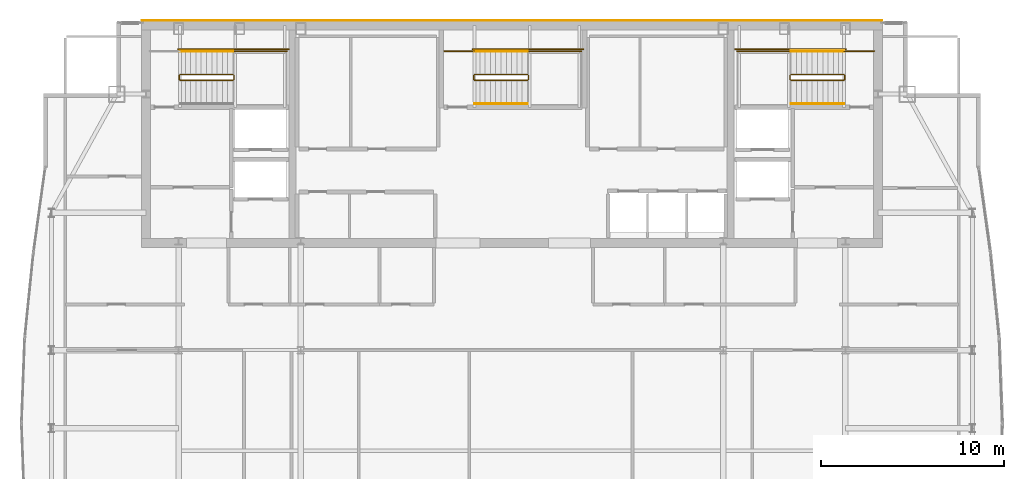
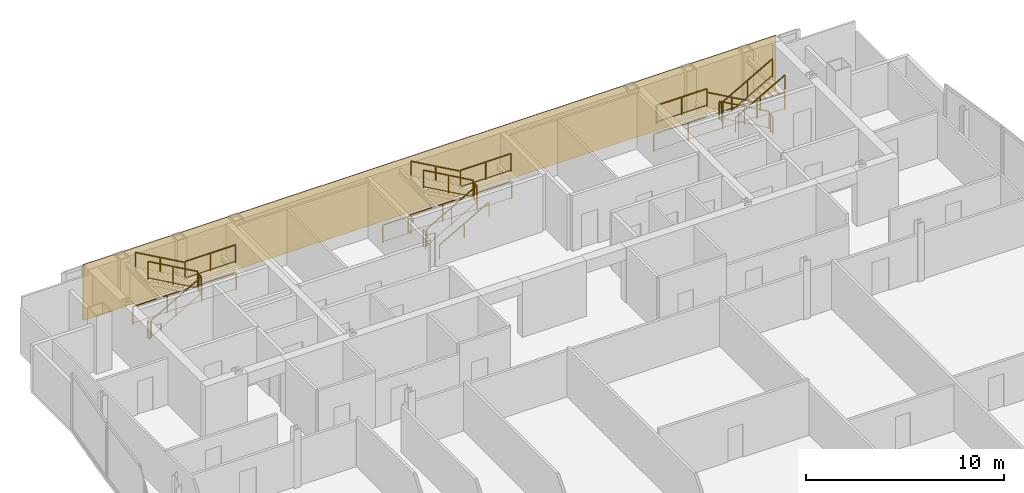
# One storey, part 26 of 26: 25 railings, 1 covering.
"""IFC4 building model written with IfcOpenShell, lengths in metres."""

from ifc_helpers import new_model, si_unit, direction, frame, origin, origin_2d, place, context, subcontext, project, spatial, polyline, rectangle, outline, extrude, material, layer, layer_set, type_object, element, save


model = new_model("IFC4")

# Units and contexts
model_context = context("Model", 3, precision=1e-05, world=origin(), true_north=direction((0.0, 1.0)))
body_context = subcontext(model_context, "Body", "Model", "MODEL_VIEW")
ifc_project = project(units=[si_unit("LENGTHUNIT", "METRE"), si_unit("AREAUNIT", "SQUARE_METRE"), si_unit("VOLUMEUNIT", "CUBIC_METRE"), si_unit("PLANEANGLEUNIT", "RADIAN"), si_unit("MASSUNIT", "GRAM", prefix="KILO")], contexts=[model_context])

# Site, building, storey
site_placement = place(None, origin())
site = spatial("IfcSite", under=ifc_project, at=site_placement, CompositionType="ELEMENT")
building_placement = place(site_placement, origin())
building = spatial("IfcBuilding", under=site, at=building_placement, Name="Khoronbel Lancet Exchange", CompositionType="ELEMENT")
storey_placement = place(building_placement, frame((0.0, 0.0, 339.800048828125)))
storey = spatial("IfcBuildingStorey", under=building, at=storey_placement, Name="L88", CompositionType="ELEMENT", Elevation=339.800048828125)

# Covering
ifc_material_1 = material(Name="Honed Egyptian Limestone & Bronze Rainscreen", Category="masonry")
ifc_layer = layer(ifc_material_1, 0.050048828125, Name="Honed Egyptian Limestone & Bronze Rainscreen")
ifc_layer_set = layer_set([ifc_layer], Name="Honed Egyptian Limestone & Bronze Rainscreen")
covering_type = type_object("IfcCoveringType", Name="COV-CLAD1", PredefinedType="CLADDING", material=ifc_layer_set)
covering_placement = place(storey_placement, origin())
element("IfcCovering", 1, at=covering_placement, inside=storey, type_object=covering_type, Name="Level L88 north rear-core stone and bronze rainscreen cladding", PredefinedType="CLADDING", context=body_context, shape_type="SweptSolid", body=[
    extrude(outline(polyline([(16.199951171875, 53.699951171875), (56.699951171875, 53.699951171875), (56.699951171875, 53.75), (16.199951171875, 53.75), (16.199951171875, 53.699951171875)])), origin(), (0.0, 0.0, 1.0), 3.43994140625),
])

# Railings
ifc_material_2 = material(Name="Painted Steel Balustrade", Category="steel")
railing_type_1 = type_object("IfcRailingType", Name="RL-STG110", PredefinedType="GUARDRAIL", material=ifc_material_2)
railing_1_placement = place(storey_placement, frame((18.300048828125, 50.449951171875, 0.16357421875)))
element("IfcRailing", 2, at=railing_1_placement, inside=storey, type_object=railing_type_1, Name="L88 ST1 stair guard 1", PredefinedType="GUARDRAIL", context=body_context, shape_type="SweptSolid", body=[
    extrude(rectangle(XDim=0.048095703125, YDim=0.048095703125, at=origin_2d()), frame((0.0, 0.0, 1.09619140625), z_axis=(0.870897200241, 0.0, 0.491465224214), x_axis=(0.0, 1.0, 0.0)), (0.0, 0.0, 1.0), 3.329833984375),
    extrude(rectangle(XDim=0.02392578125, YDim=0.02392578125, at=origin_2d()), frame((0.0, 0.0, 0.080078125), z_axis=(0.870897200241, 0.0, 0.491465224214), x_axis=(0.0, 1.0, 0.0)), (0.0, 0.0, 1.0), 3.329833984375),
    extrude(rectangle(XDim=0.0419921875, YDim=0.0419921875, at=origin_2d()), origin(), (0.0, 0.0, 1.0), 1.072021484375),
    extrude(rectangle(XDim=0.0419921875, YDim=0.0419921875, at=origin_2d()), frame((1.449951171875, 0.0, 0.818359375)), (0.0, 0.0, 1.0), 1.072021484375),
    extrude(rectangle(XDim=0.0419921875, YDim=0.0419921875, at=origin_2d()), frame((2.89990234375, 0.0, 1.636474609375)), (0.0, 0.0, 1.0), 1.072021484375),
])
railing_2_placement = place(storey_placement, frame((21.25, 50.5, 1.800048828125)))
element("IfcRailing", 3, at=railing_2_placement, inside=storey, type_object=railing_type_1, Name="L88 ST1 stair guard 2", PredefinedType="GUARDRAIL", context=body_context, shape_type="SweptSolid", body=[
    extrude(rectangle(XDim=0.048095703125, YDim=0.048095703125, at=origin_2d()), frame((0.0, 0.0, 1.09619140625), z_axis=(0.0, 1.0, 0.0), x_axis=(-1.0, 0.0, 0.0)), (0.0, 0.0, 1.0), 0.219970703125),
    extrude(rectangle(XDim=0.02392578125, YDim=0.02392578125, at=origin_2d()), frame((0.0, 0.0, 0.080078125), z_axis=(0.0, 1.0, 0.0), x_axis=(-1.0, 0.0, 0.0)), (0.0, 0.0, 1.0), 0.219970703125),
    extrude(rectangle(XDim=0.0419921875, YDim=0.0419921875, at=origin_2d()), origin(), (0.0, 0.0, 1.0), 1.072021484375),
    extrude(rectangle(XDim=0.0419921875, YDim=0.0419921875, at=origin_2d()), frame((0.0, 0.219970703125, 0.0)), (0.0, 0.0, 1.0), 1.072021484375),
])
railing_3_placement = place(storey_placement, frame((21.199951171875, 52.050048828125, 1.800048828125)))
element("IfcRailing", 4, at=railing_3_placement, inside=storey, type_object=railing_type_1, Name="L88 ST1 stair guard 3", PredefinedType="GUARDRAIL", context=body_context, shape_type="SweptSolid", body=[
    extrude(rectangle(XDim=0.048095703125, YDim=0.048095703125, at=origin_2d()), frame((0.0, 0.0, 1.09619140625), z_axis=(1.0, 0.0, 0.0), x_axis=(0.0, 1.0, 0.0)), (0.0, 0.0, 1.0), 2.949951171875),
    extrude(rectangle(XDim=0.02392578125, YDim=0.02392578125, at=origin_2d()), frame((0.0, 0.0, 0.080078125), z_axis=(1.0, 0.0, 0.0), x_axis=(0.0, 1.0, 0.0)), (0.0, 0.0, 1.0), 2.949951171875),
    extrude(rectangle(XDim=0.0419921875, YDim=0.0419921875, at=origin_2d()), origin(), (0.0, 0.0, 1.0), 1.072021484375),
    extrude(rectangle(XDim=0.0419921875, YDim=0.0419921875, at=origin_2d()), frame((1.47509765625, 0.0, 0.0)), (0.0, 0.0, 1.0), 1.072021484375),
    extrude(rectangle(XDim=0.0419921875, YDim=0.0419921875, at=origin_2d()), frame((2.949951171875, 0.0, 0.0)), (0.0, 0.0, 1.0), 1.072021484375),
])
railing_4_placement = place(storey_placement, frame((21.199951171875, 50.77001953125, 1.963623046875)))
element("IfcRailing", 5, at=railing_4_placement, inside=storey, type_object=railing_type_1, Name="L88 ST1 stair guard 4", PredefinedType="GUARDRAIL", context=body_context, shape_type="SweptSolid", body=[
    extrude(rectangle(XDim=0.048095703125, YDim=0.048095703125, at=origin_2d()), frame((0.0, 0.0, 1.09619140625), z_axis=(-0.870928581787, 0.0, 0.491409610636), x_axis=(0.0, -1.0, 0.0)), (0.0, 0.0, 1.0), 3.32958984375),
    extrude(rectangle(XDim=0.02392578125, YDim=0.02392578125, at=origin_2d()), frame((0.0, 0.0, 0.080078125), z_axis=(-0.870928581787, 0.0, 0.491409610636), x_axis=(0.0, -1.0, 0.0)), (0.0, 0.0, 1.0), 3.32958984375),
    extrude(rectangle(XDim=0.0419921875, YDim=0.0419921875, at=origin_2d()), origin(), (0.0, 0.0, 1.0), 1.072021484375),
    extrude(rectangle(XDim=0.0419921875, YDim=0.0419921875, at=origin_2d()), frame((-1.449951171875, 0.0, 0.818115234375)), (0.0, 0.0, 1.0), 1.072021484375),
    extrude(rectangle(XDim=0.0419921875, YDim=0.0419921875, at=origin_2d()), frame((-2.89990234375, 0.0, 1.63623046875)), (0.0, 0.0, 1.0), 1.072021484375),
])
railing_5_placement = place(storey_placement, frame((18.25, 50.5, 0.0)))
element("IfcRailing", 6, at=railing_5_placement, inside=storey, type_object=railing_type_1, Name="L88 ST1 stair guard 5", PredefinedType="GUARDRAIL", context=body_context, shape_type="SweptSolid", body=[
    extrude(rectangle(XDim=0.048095703125, YDim=0.048095703125, at=origin_2d()), frame((0.0, 0.0, 1.09619140625), z_axis=(0.0, 1.0, 0.0), x_axis=(-1.0, 0.0, 0.0)), (0.0, 0.0, 1.0), 0.219970703125),
    extrude(rectangle(XDim=0.02392578125, YDim=0.02392578125, at=origin_2d()), frame((0.0, 0.0, 0.080078125), z_axis=(0.0, 1.0, 0.0), x_axis=(-1.0, 0.0, 0.0)), (0.0, 0.0, 1.0), 0.219970703125),
    extrude(rectangle(XDim=0.0419921875, YDim=0.0419921875, at=origin_2d()), origin(), (0.0, 0.0, 1.0), 1.072021484375),
    extrude(rectangle(XDim=0.0419921875, YDim=0.0419921875, at=origin_2d()), frame((0.0, 0.219970703125, 0.0)), (0.0, 0.0, 1.0), 1.072021484375),
])
railing_6_placement = place(storey_placement, frame((18.199951171875, 52.14990234375, 0.0)))
element("IfcRailing", 7, at=railing_6_placement, inside=storey, type_object=railing_type_1, Name="L88 ST1 stair guard 7", PredefinedType="GUARDRAIL", context=body_context, shape_type="SweptSolid", body=[
    extrude(rectangle(XDim=0.048095703125, YDim=0.048095703125, at=origin_2d()), frame((0.0, 0.0, 1.09619140625), z_axis=(1.0, 0.0, 0.0), x_axis=(0.0, 1.0, 0.0)), (0.0, 0.0, 1.0), 6.050048828125),
    extrude(rectangle(XDim=0.02392578125, YDim=0.02392578125, at=origin_2d()), frame((0.0, 0.0, 0.080078125), z_axis=(1.0, 0.0, 0.0), x_axis=(0.0, 1.0, 0.0)), (0.0, 0.0, 1.0), 6.050048828125),
    extrude(rectangle(XDim=0.0419921875, YDim=0.0419921875, at=origin_2d()), origin(), (0.0, 0.0, 1.0), 1.072021484375),
    extrude(rectangle(XDim=0.0419921875, YDim=0.0419921875, at=origin_2d()), frame((2.0166015625, 0.0, 0.0)), (0.0, 0.0, 1.0), 1.072021484375),
    extrude(rectangle(XDim=0.0419921875, YDim=0.0419921875, at=origin_2d()), frame((4.033447265625, 0.0, 0.0)), (0.0, 0.0, 1.0), 1.072021484375),
    extrude(rectangle(XDim=0.0419921875, YDim=0.0419921875, at=origin_2d()), frame((6.050048828125, 0.0, 0.0)), (0.0, 0.0, 1.0), 1.072021484375),
])
railing_7_placement = place(storey_placement, frame((54.60009765625, 50.77001953125, 0.16357421875)))
element("IfcRailing", 8, at=railing_7_placement, inside=storey, type_object=railing_type_1, Name="L88 ST2 stair guard 1", PredefinedType="GUARDRAIL", context=body_context, shape_type="SweptSolid", body=[
    extrude(rectangle(XDim=0.048095703125, YDim=0.048095703125, at=origin_2d()), frame((0.0, 0.0, 1.09619140625), z_axis=(-0.870914908162, 0.0, 0.491433843708), x_axis=(0.0, -1.0, 0.0)), (0.0, 0.0, 1.0), 3.330078125),
    extrude(rectangle(XDim=0.02392578125, YDim=0.02392578125, at=origin_2d()), frame((0.0, 0.0, 0.080078125), z_axis=(-0.870914908162, 0.0, 0.491433843708), x_axis=(0.0, -1.0, 0.0)), (0.0, 0.0, 1.0), 3.330078125),
    extrude(rectangle(XDim=0.0419921875, YDim=0.0419921875, at=origin_2d()), origin(), (0.0, 0.0, 1.0), 1.072021484375),
    extrude(rectangle(XDim=0.0419921875, YDim=0.0419921875, at=origin_2d()), frame((-1.4501953125, 0.0, 0.818359375)), (0.0, 0.0, 1.0), 1.072021484375),
    extrude(rectangle(XDim=0.0419921875, YDim=0.0419921875, at=origin_2d()), frame((-2.900146484375, 0.0, 1.636474609375)), (0.0, 0.0, 1.0), 1.072021484375),
])
railing_8_placement = place(storey_placement, frame((51.64990234375, 50.719970703125, 1.800048828125)))
element("IfcRailing", 9, at=railing_8_placement, inside=storey, type_object=railing_type_1, Name="L88 ST2 stair guard 2", PredefinedType="GUARDRAIL", context=body_context, shape_type="SweptSolid", body=[
    extrude(rectangle(XDim=0.048095703125, YDim=0.048095703125, at=origin_2d()), frame((0.0, 0.0, 1.09619140625), z_axis=(0.0, -1.0, 0.0), x_axis=(1.0, 0.0, 0.0)), (0.0, 0.0, 1.0), 0.219970703125),
    extrude(rectangle(XDim=0.02392578125, YDim=0.02392578125, at=origin_2d()), frame((0.0, 0.0, 0.080078125), z_axis=(0.0, -1.0, 0.0), x_axis=(1.0, 0.0, 0.0)), (0.0, 0.0, 1.0), 0.219970703125),
    extrude(rectangle(XDim=0.0419921875, YDim=0.0419921875, at=origin_2d()), origin(), (0.0, 0.0, 1.0), 1.072021484375),
    extrude(rectangle(XDim=0.0419921875, YDim=0.0419921875, at=origin_2d()), frame((0.0, -0.219970703125, 0.0)), (0.0, 0.0, 1.0), 1.072021484375),
])
railing_9_placement = place(storey_placement, frame((51.699951171875, 52.050048828125, 1.800048828125)))
element("IfcRailing", 10, at=railing_9_placement, inside=storey, type_object=railing_type_1, Name="L88 ST2 stair guard 3", PredefinedType="GUARDRAIL", context=body_context, shape_type="SweptSolid", body=[
    extrude(rectangle(XDim=0.048095703125, YDim=0.048095703125, at=origin_2d()), frame((0.0, 0.0, 1.09619140625), z_axis=(-1.0, 0.0, 0.0), x_axis=(0.0, -1.0, 0.0)), (0.0, 0.0, 1.0), 2.949951171875),
    extrude(rectangle(XDim=0.02392578125, YDim=0.02392578125, at=origin_2d()), frame((0.0, 0.0, 0.080078125), z_axis=(-1.0, 0.0, 0.0), x_axis=(0.0, -1.0, 0.0)), (0.0, 0.0, 1.0), 2.949951171875),
    extrude(rectangle(XDim=0.0419921875, YDim=0.0419921875, at=origin_2d()), origin(), (0.0, 0.0, 1.0), 1.072021484375),
    extrude(rectangle(XDim=0.0419921875, YDim=0.0419921875, at=origin_2d()), frame((-1.47509765625, 0.0, 0.0)), (0.0, 0.0, 1.0), 1.072021484375),
    extrude(rectangle(XDim=0.0419921875, YDim=0.0419921875, at=origin_2d()), frame((-2.949951171875, 0.0, 0.0)), (0.0, 0.0, 1.0), 1.072021484375),
])
railing_10_placement = place(storey_placement, frame((51.699951171875, 50.449951171875, 1.963623046875)))
element("IfcRailing", 11, at=railing_10_placement, inside=storey, type_object=railing_type_1, Name="L88 ST2 stair guard 4", PredefinedType="GUARDRAIL", context=body_context, shape_type="SweptSolid", body=[
    extrude(rectangle(XDim=0.048095703125, YDim=0.048095703125, at=origin_2d()), frame((0.0, 0.0, 1.09619140625), z_axis=(0.870946286338, 0.0, 0.49137823142), x_axis=(0.0, 1.0, 0.0)), (0.0, 0.0, 1.0), 3.329833984375),
    extrude(rectangle(XDim=0.02392578125, YDim=0.02392578125, at=origin_2d()), frame((0.0, 0.0, 0.080078125), z_axis=(0.870946286338, 0.0, 0.49137823142), x_axis=(0.0, 1.0, 0.0)), (0.0, 0.0, 1.0), 3.329833984375),
    extrude(rectangle(XDim=0.0419921875, YDim=0.0419921875, at=origin_2d()), origin(), (0.0, 0.0, 1.0), 1.072021484375),
    extrude(rectangle(XDim=0.0419921875, YDim=0.0419921875, at=origin_2d()), frame((1.4501953125, 0.0, 0.818115234375)), (0.0, 0.0, 1.0), 1.072021484375),
    extrude(rectangle(XDim=0.0419921875, YDim=0.0419921875, at=origin_2d()), frame((2.900146484375, 0.0, 1.63623046875)), (0.0, 0.0, 1.0), 1.072021484375),
])
railing_11_placement = place(storey_placement, frame((54.64990234375, 50.719970703125, 0.0)))
element("IfcRailing", 12, at=railing_11_placement, inside=storey, type_object=railing_type_1, Name="L88 ST2 stair guard 5", PredefinedType="GUARDRAIL", context=body_context, shape_type="SweptSolid", body=[
    extrude(rectangle(XDim=0.048095703125, YDim=0.048095703125, at=origin_2d()), frame((0.0, 0.0, 1.09619140625), z_axis=(0.0, -1.0, 0.0), x_axis=(1.0, 0.0, 0.0)), (0.0, 0.0, 1.0), 0.219970703125),
    extrude(rectangle(XDim=0.02392578125, YDim=0.02392578125, at=origin_2d()), frame((0.0, 0.0, 0.080078125), z_axis=(0.0, -1.0, 0.0), x_axis=(1.0, 0.0, 0.0)), (0.0, 0.0, 1.0), 0.219970703125),
    extrude(rectangle(XDim=0.0419921875, YDim=0.0419921875, at=origin_2d()), origin(), (0.0, 0.0, 1.0), 1.072021484375),
    extrude(rectangle(XDim=0.0419921875, YDim=0.0419921875, at=origin_2d()), frame((0.0, -0.219970703125, 0.0)), (0.0, 0.0, 1.0), 1.072021484375),
])
railing_12_placement = place(storey_placement, frame((56.25, 52.050048828125, 0.0)))
element("IfcRailing", 13, at=railing_12_placement, inside=storey, type_object=railing_type_1, Name="L88 ST2 stair guard 6", PredefinedType="GUARDRAIL", context=body_context, shape_type="SweptSolid", body=[
    extrude(rectangle(XDim=0.048095703125, YDim=0.048095703125, at=origin_2d()), frame((0.0, 0.0, 1.09619140625), z_axis=(-1.0, 0.0, 0.0), x_axis=(0.0, -1.0, 0.0)), (0.0, 0.0, 1.0), 1.64990234375),
    extrude(rectangle(XDim=0.02392578125, YDim=0.02392578125, at=origin_2d()), frame((0.0, 0.0, 0.080078125), z_axis=(-1.0, 0.0, 0.0), x_axis=(0.0, -1.0, 0.0)), (0.0, 0.0, 1.0), 1.64990234375),
    extrude(rectangle(XDim=0.0419921875, YDim=0.0419921875, at=origin_2d()), origin(), (0.0, 0.0, 1.0), 1.072021484375),
    extrude(rectangle(XDim=0.0419921875, YDim=0.0419921875, at=origin_2d()), frame((-1.64990234375, 0.0, 0.0)), (0.0, 0.0, 1.0), 1.072021484375),
])
railing_13_placement = place(storey_placement, frame((54.699951171875, 52.14990234375, 0.0)))
element("IfcRailing", 14, at=railing_13_placement, inside=storey, type_object=railing_type_1, Name="L88 ST2 stair guard 7", PredefinedType="GUARDRAIL", context=body_context, shape_type="SweptSolid", body=[
    extrude(rectangle(XDim=0.048095703125, YDim=0.048095703125, at=origin_2d()), frame((0.0, 0.0, 1.09619140625), z_axis=(-1.0, 0.0, 0.0), x_axis=(0.0, -1.0, 0.0)), (0.0, 0.0, 1.0), 6.050048828125),
    extrude(rectangle(XDim=0.02392578125, YDim=0.02392578125, at=origin_2d()), frame((0.0, 0.0, 0.080078125), z_axis=(-1.0, 0.0, 0.0), x_axis=(0.0, -1.0, 0.0)), (0.0, 0.0, 1.0), 6.050048828125),
    extrude(rectangle(XDim=0.0419921875, YDim=0.0419921875, at=origin_2d()), origin(), (0.0, 0.0, 1.0), 1.072021484375),
    extrude(rectangle(XDim=0.0419921875, YDim=0.0419921875, at=origin_2d()), frame((-2.0166015625, 0.0, 0.0)), (0.0, 0.0, 1.0), 1.072021484375),
    extrude(rectangle(XDim=0.0419921875, YDim=0.0419921875, at=origin_2d()), frame((-4.033447265625, 0.0, 0.0)), (0.0, 0.0, 1.0), 1.072021484375),
    extrude(rectangle(XDim=0.0419921875, YDim=0.0419921875, at=origin_2d()), frame((-6.050048828125, 0.0, 0.0)), (0.0, 0.0, 1.0), 1.072021484375),
])
railing_14_placement = place(storey_placement, frame((34.39990234375, 50.449951171875, 0.16357421875)))
element("IfcRailing", 15, at=railing_14_placement, inside=storey, type_object=railing_type_1, Name="L88 ST3 stair guard 1", PredefinedType="GUARDRAIL", context=body_context, shape_type="SweptSolid", body=[
    extrude(rectangle(XDim=0.048095703125, YDim=0.048095703125, at=origin_2d()), frame((0.0, 0.0, 1.09619140625), z_axis=(0.870914908162, 0.0, 0.491433843708), x_axis=(0.0, 1.0, 0.0)), (0.0, 0.0, 1.0), 3.330078125),
    extrude(rectangle(XDim=0.02392578125, YDim=0.02392578125, at=origin_2d()), frame((0.0, 0.0, 0.080078125), z_axis=(0.870914908162, 0.0, 0.491433843708), x_axis=(0.0, 1.0, 0.0)), (0.0, 0.0, 1.0), 3.330078125),
    extrude(rectangle(XDim=0.0419921875, YDim=0.0419921875, at=origin_2d()), origin(), (0.0, 0.0, 1.0), 1.072021484375),
    extrude(rectangle(XDim=0.0419921875, YDim=0.0419921875, at=origin_2d()), frame((1.4501953125, 0.0, 0.818359375)), (0.0, 0.0, 1.0), 1.072021484375),
    extrude(rectangle(XDim=0.0419921875, YDim=0.0419921875, at=origin_2d()), frame((2.900146484375, 0.0, 1.636474609375)), (0.0, 0.0, 1.0), 1.072021484375),
])
railing_15_placement = place(storey_placement, frame((37.35009765625, 50.5, 1.800048828125)))
element("IfcRailing", 16, at=railing_15_placement, inside=storey, type_object=railing_type_1, Name="L88 ST3 stair guard 2", PredefinedType="GUARDRAIL", context=body_context, shape_type="SweptSolid", body=[
    extrude(rectangle(XDim=0.048095703125, YDim=0.048095703125, at=origin_2d()), frame((0.0, 0.0, 1.09619140625), z_axis=(0.0, 1.0, 0.0), x_axis=(-1.0, 0.0, 0.0)), (0.0, 0.0, 1.0), 0.219970703125),
    extrude(rectangle(XDim=0.02392578125, YDim=0.02392578125, at=origin_2d()), frame((0.0, 0.0, 0.080078125), z_axis=(0.0, 1.0, 0.0), x_axis=(-1.0, 0.0, 0.0)), (0.0, 0.0, 1.0), 0.219970703125),
    extrude(rectangle(XDim=0.0419921875, YDim=0.0419921875, at=origin_2d()), origin(), (0.0, 0.0, 1.0), 1.072021484375),
    extrude(rectangle(XDim=0.0419921875, YDim=0.0419921875, at=origin_2d()), frame((0.0, 0.219970703125, 0.0)), (0.0, 0.0, 1.0), 1.072021484375),
])
railing_16_placement = place(storey_placement, frame((37.300048828125, 52.050048828125, 1.800048828125)))
element("IfcRailing", 17, at=railing_16_placement, inside=storey, type_object=railing_type_1, Name="L88 ST3 stair guard 3", PredefinedType="GUARDRAIL", context=body_context, shape_type="SweptSolid", body=[
    extrude(rectangle(XDim=0.048095703125, YDim=0.048095703125, at=origin_2d()), frame((0.0, 0.0, 1.09619140625), z_axis=(1.0, 0.0, 0.0), x_axis=(0.0, 1.0, 0.0)), (0.0, 0.0, 1.0), 2.949951171875),
    extrude(rectangle(XDim=0.02392578125, YDim=0.02392578125, at=origin_2d()), frame((0.0, 0.0, 0.080078125), z_axis=(1.0, 0.0, 0.0), x_axis=(0.0, 1.0, 0.0)), (0.0, 0.0, 1.0), 2.949951171875),
    extrude(rectangle(XDim=0.0419921875, YDim=0.0419921875, at=origin_2d()), origin(), (0.0, 0.0, 1.0), 1.072021484375),
    extrude(rectangle(XDim=0.0419921875, YDim=0.0419921875, at=origin_2d()), frame((1.47509765625, 0.0, 0.0)), (0.0, 0.0, 1.0), 1.072021484375),
    extrude(rectangle(XDim=0.0419921875, YDim=0.0419921875, at=origin_2d()), frame((2.949951171875, 0.0, 0.0)), (0.0, 0.0, 1.0), 1.072021484375),
])
railing_17_placement = place(storey_placement, frame((37.300048828125, 50.77001953125, 1.963623046875)))
element("IfcRailing", 18, at=railing_17_placement, inside=storey, type_object=railing_type_1, Name="L88 ST3 stair guard 4", PredefinedType="GUARDRAIL", context=body_context, shape_type="SweptSolid", body=[
    extrude(rectangle(XDim=0.048095703125, YDim=0.048095703125, at=origin_2d()), frame((0.0, 0.0, 1.09619140625), z_axis=(-0.870946286338, 0.0, 0.49137823142), x_axis=(0.0, -1.0, 0.0)), (0.0, 0.0, 1.0), 3.329833984375),
    extrude(rectangle(XDim=0.02392578125, YDim=0.02392578125, at=origin_2d()), frame((0.0, 0.0, 0.080078125), z_axis=(-0.870946286338, 0.0, 0.49137823142), x_axis=(0.0, -1.0, 0.0)), (0.0, 0.0, 1.0), 3.329833984375),
    extrude(rectangle(XDim=0.0419921875, YDim=0.0419921875, at=origin_2d()), origin(), (0.0, 0.0, 1.0), 1.072021484375),
    extrude(rectangle(XDim=0.0419921875, YDim=0.0419921875, at=origin_2d()), frame((-1.4501953125, 0.0, 0.818115234375)), (0.0, 0.0, 1.0), 1.072021484375),
    extrude(rectangle(XDim=0.0419921875, YDim=0.0419921875, at=origin_2d()), frame((-2.900146484375, 0.0, 1.63623046875)), (0.0, 0.0, 1.0), 1.072021484375),
])
railing_18_placement = place(storey_placement, frame((34.35009765625, 50.5, 0.0)))
element("IfcRailing", 19, at=railing_18_placement, inside=storey, type_object=railing_type_1, Name="L88 ST3 stair guard 5", PredefinedType="GUARDRAIL", context=body_context, shape_type="SweptSolid", body=[
    extrude(rectangle(XDim=0.048095703125, YDim=0.048095703125, at=origin_2d()), frame((0.0, 0.0, 1.09619140625), z_axis=(0.0, 1.0, 0.0), x_axis=(-1.0, 0.0, 0.0)), (0.0, 0.0, 1.0), 0.219970703125),
    extrude(rectangle(XDim=0.02392578125, YDim=0.02392578125, at=origin_2d()), frame((0.0, 0.0, 0.080078125), z_axis=(0.0, 1.0, 0.0), x_axis=(-1.0, 0.0, 0.0)), (0.0, 0.0, 1.0), 0.219970703125),
    extrude(rectangle(XDim=0.0419921875, YDim=0.0419921875, at=origin_2d()), origin(), (0.0, 0.0, 1.0), 1.072021484375),
    extrude(rectangle(XDim=0.0419921875, YDim=0.0419921875, at=origin_2d()), frame((0.0, 0.219970703125, 0.0)), (0.0, 0.0, 1.0), 1.072021484375),
])
railing_19_placement = place(storey_placement, frame((32.75, 52.050048828125, 0.0)))
element("IfcRailing", 20, at=railing_19_placement, inside=storey, type_object=railing_type_1, Name="L88 ST3 stair guard 6", PredefinedType="GUARDRAIL", context=body_context, shape_type="SweptSolid", body=[
    extrude(rectangle(XDim=0.048095703125, YDim=0.048095703125, at=origin_2d()), frame((0.0, 0.0, 1.09619140625), z_axis=(1.0, 0.0, 0.0), x_axis=(0.0, 1.0, 0.0)), (0.0, 0.0, 1.0), 1.64990234375),
    extrude(rectangle(XDim=0.02392578125, YDim=0.02392578125, at=origin_2d()), frame((0.0, 0.0, 0.080078125), z_axis=(1.0, 0.0, 0.0), x_axis=(0.0, 1.0, 0.0)), (0.0, 0.0, 1.0), 1.64990234375),
    extrude(rectangle(XDim=0.0419921875, YDim=0.0419921875, at=origin_2d()), origin(), (0.0, 0.0, 1.0), 1.072021484375),
    extrude(rectangle(XDim=0.0419921875, YDim=0.0419921875, at=origin_2d()), frame((1.64990234375, 0.0, 0.0)), (0.0, 0.0, 1.0), 1.072021484375),
])
railing_20_placement = place(storey_placement, frame((34.300048828125, 52.14990234375, 0.0)))
element("IfcRailing", 21, at=railing_20_placement, inside=storey, type_object=railing_type_1, Name="L88 ST3 stair guard 7", PredefinedType="GUARDRAIL", context=body_context, shape_type="SweptSolid", body=[
    extrude(rectangle(XDim=0.048095703125, YDim=0.048095703125, at=origin_2d()), frame((0.0, 0.0, 1.09619140625), z_axis=(1.0, 0.0, 0.0), x_axis=(0.0, 1.0, 0.0)), (0.0, 0.0, 1.0), 6.050048828125),
    extrude(rectangle(XDim=0.02392578125, YDim=0.02392578125, at=origin_2d()), frame((0.0, 0.0, 0.080078125), z_axis=(1.0, 0.0, 0.0), x_axis=(0.0, 1.0, 0.0)), (0.0, 0.0, 1.0), 6.050048828125),
    extrude(rectangle(XDim=0.0419921875, YDim=0.0419921875, at=origin_2d()), origin(), (0.0, 0.0, 1.0), 1.072021484375),
    extrude(rectangle(XDim=0.0419921875, YDim=0.0419921875, at=origin_2d()), frame((2.0166015625, 0.0, 0.0)), (0.0, 0.0, 1.0), 1.072021484375),
    extrude(rectangle(XDim=0.0419921875, YDim=0.0419921875, at=origin_2d()), frame((4.033447265625, 0.0, 0.0)), (0.0, 0.0, 1.0), 1.072021484375),
    extrude(rectangle(XDim=0.0419921875, YDim=0.0419921875, at=origin_2d()), frame((6.050048828125, 0.0, 0.0)), (0.0, 0.0, 1.0), 1.072021484375),
])
ifc_material_3 = material(Name="Brushed Stainless Steel 316", Category="steel")
railing_type_2 = type_object("IfcRailingType", Name="RL-STH92", PredefinedType="HANDRAIL", material=ifc_material_3)
railing_21_placement = place(storey_placement, frame((21.199951171875, 52.050048828125, 1.963623046875)))
element("IfcRailing", 22, at=railing_21_placement, inside=storey, type_object=railing_type_2, Name="L88 ST1 stair handrail 2", PredefinedType="HANDRAIL", context=body_context, shape_type="SweptSolid", body=[
    extrude(rectangle(XDim=0.048095703125, YDim=0.048095703125, at=origin_2d()), frame((0.0, 0.0, 0.8759765625), z_axis=(-0.870928581787, 0.0, 0.491409610636), x_axis=(0.0, -1.0, 0.0)), (0.0, 0.0, 1.0), 3.32958984375),
    extrude(rectangle(XDim=0.0419921875, YDim=0.0419921875, at=origin_2d()), origin(), (0.0, 0.0, 1.0), 0.851806640625),
    extrude(rectangle(XDim=0.0419921875, YDim=0.0419921875, at=origin_2d()), frame((-1.449951171875, 0.0, 0.818115234375)), (0.0, 0.0, 1.0), 0.851806640625),
    extrude(rectangle(XDim=0.0419921875, YDim=0.0419921875, at=origin_2d()), frame((-2.89990234375, 0.0, 1.63623046875)), (0.0, 0.0, 1.0), 0.851806640625),
])
railing_22_placement = place(storey_placement, frame((54.60009765625, 52.050048828125, 0.16357421875)))
element("IfcRailing", 23, at=railing_22_placement, inside=storey, type_object=railing_type_2, Name="L88 ST2 stair handrail 1", PredefinedType="HANDRAIL", context=body_context, shape_type="SweptSolid", body=[
    extrude(rectangle(XDim=0.048095703125, YDim=0.048095703125, at=origin_2d()), frame((0.0, 0.0, 0.8759765625), z_axis=(-0.870914908162, 0.0, 0.491433843708), x_axis=(0.0, -1.0, 0.0)), (0.0, 0.0, 1.0), 3.330078125),
    extrude(rectangle(XDim=0.0419921875, YDim=0.0419921875, at=origin_2d()), origin(), (0.0, 0.0, 1.0), 0.851806640625),
    extrude(rectangle(XDim=0.0419921875, YDim=0.0419921875, at=origin_2d()), frame((-1.4501953125, 0.0, 0.818359375)), (0.0, 0.0, 1.0), 0.851806640625),
    extrude(rectangle(XDim=0.0419921875, YDim=0.0419921875, at=origin_2d()), frame((-2.900146484375, 0.0, 1.636474609375)), (0.0, 0.0, 1.0), 0.851806640625),
])
railing_23_placement = place(storey_placement, frame((51.699951171875, 49.169921875, 1.963623046875)))
element("IfcRailing", 24, at=railing_23_placement, inside=storey, type_object=railing_type_2, Name="L88 ST2 stair handrail 2", PredefinedType="HANDRAIL", context=body_context, shape_type="SweptSolid", body=[
    extrude(rectangle(XDim=0.048095703125, YDim=0.048095703125, at=origin_2d()), frame((0.0, 0.0, 0.8759765625), z_axis=(0.870946286338, 0.0, 0.49137823142), x_axis=(0.0, 1.0, 0.0)), (0.0, 0.0, 1.0), 3.329833984375),
    extrude(rectangle(XDim=0.0419921875, YDim=0.0419921875, at=origin_2d()), origin(), (0.0, 0.0, 1.0), 0.851806640625),
    extrude(rectangle(XDim=0.0419921875, YDim=0.0419921875, at=origin_2d()), frame((1.4501953125, 0.0, 0.818115234375)), (0.0, 0.0, 1.0), 0.851806640625),
    extrude(rectangle(XDim=0.0419921875, YDim=0.0419921875, at=origin_2d()), frame((2.900146484375, 0.0, 1.63623046875)), (0.0, 0.0, 1.0), 0.851806640625),
])
railing_24_placement = place(storey_placement, frame((34.39990234375, 49.169921875, 0.16357421875)))
element("IfcRailing", 25, at=railing_24_placement, inside=storey, type_object=railing_type_2, Name="L88 ST3 stair handrail 1", PredefinedType="HANDRAIL", context=body_context, shape_type="SweptSolid", body=[
    extrude(rectangle(XDim=0.048095703125, YDim=0.048095703125, at=origin_2d()), frame((0.0, 0.0, 0.8759765625), z_axis=(0.870914908162, 0.0, 0.491433843708), x_axis=(0.0, 1.0, 0.0)), (0.0, 0.0, 1.0), 3.330078125),
    extrude(rectangle(XDim=0.0419921875, YDim=0.0419921875, at=origin_2d()), origin(), (0.0, 0.0, 1.0), 0.851806640625),
    extrude(rectangle(XDim=0.0419921875, YDim=0.0419921875, at=origin_2d()), frame((1.4501953125, 0.0, 0.818359375)), (0.0, 0.0, 1.0), 0.851806640625),
    extrude(rectangle(XDim=0.0419921875, YDim=0.0419921875, at=origin_2d()), frame((2.900146484375, 0.0, 1.636474609375)), (0.0, 0.0, 1.0), 0.851806640625),
])
railing_25_placement = place(storey_placement, frame((37.300048828125, 52.050048828125, 1.963623046875)))
element("IfcRailing", 26, at=railing_25_placement, inside=storey, type_object=railing_type_2, Name="L88 ST3 stair handrail 2", PredefinedType="HANDRAIL", context=body_context, shape_type="SweptSolid", body=[
    extrude(rectangle(XDim=0.048095703125, YDim=0.048095703125, at=origin_2d()), frame((0.0, 0.0, 0.8759765625), z_axis=(-0.870946286338, 0.0, 0.49137823142), x_axis=(0.0, -1.0, 0.0)), (0.0, 0.0, 1.0), 3.329833984375),
    extrude(rectangle(XDim=0.0419921875, YDim=0.0419921875, at=origin_2d()), origin(), (0.0, 0.0, 1.0), 0.851806640625),
    extrude(rectangle(XDim=0.0419921875, YDim=0.0419921875, at=origin_2d()), frame((-1.4501953125, 0.0, 0.818115234375)), (0.0, 0.0, 1.0), 0.851806640625),
    extrude(rectangle(XDim=0.0419921875, YDim=0.0419921875, at=origin_2d()), frame((-2.900146484375, 0.0, 1.63623046875)), (0.0, 0.0, 1.0), 0.851806640625),
])

save(model, "model.ifc")
